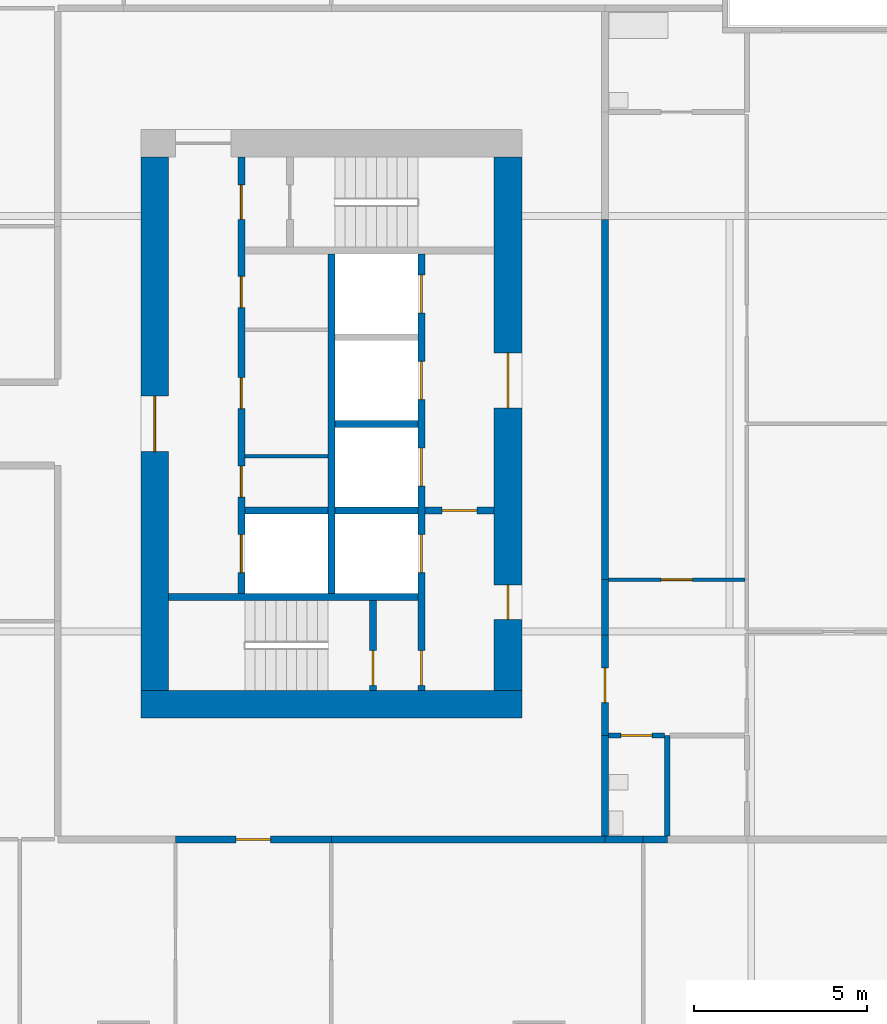
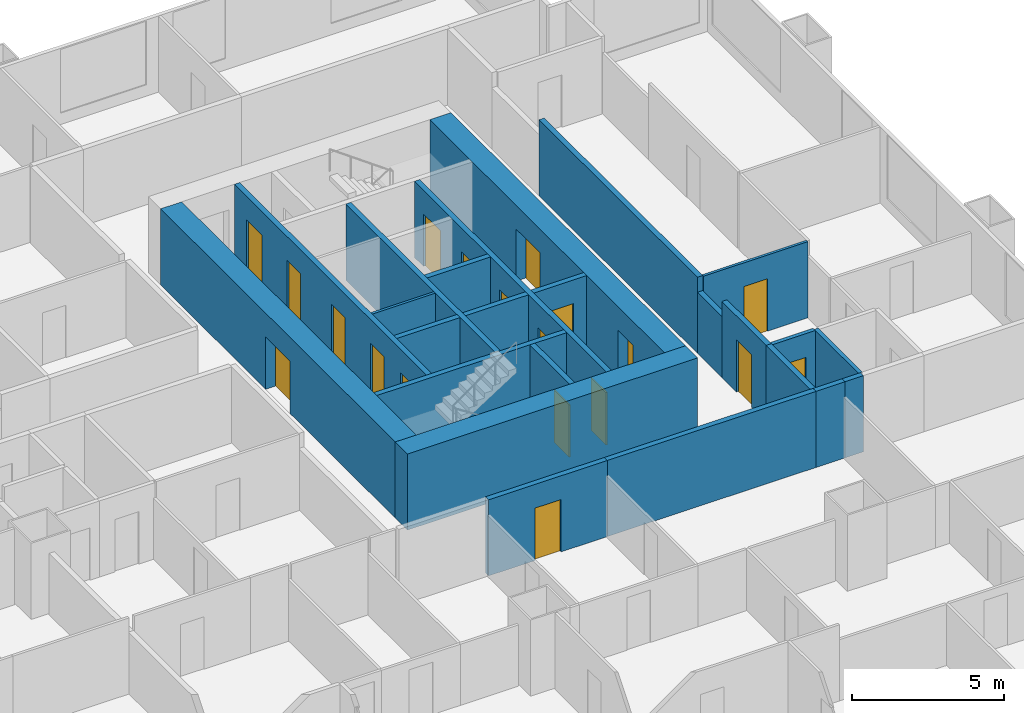
# One storey, part 7 of 14: 24 walls, 19 doors, 19 openings.
"""IFC4 building model written with IfcOpenShell, lengths in metres."""

from ifc_helpers import new_model, si_unit, direction, frame, frame_2d, origin, place, context, subcontext, project, spatial, rectangle, extrude, material, layer, layer_set, type_object, element, fill, save


model = new_model("IFC4")

# Units and contexts
model_context = context("Model", 3, precision=1e-05, world=origin(), true_north=direction((0.0, 1.0)))
body_context = subcontext(model_context, "Body", "Model", "MODEL_VIEW")
ifc_project = project(units=[si_unit("LENGTHUNIT", "METRE"), si_unit("AREAUNIT", "SQUARE_METRE"), si_unit("VOLUMEUNIT", "CUBIC_METRE"), si_unit("PLANEANGLEUNIT", "RADIAN"), si_unit("MASSUNIT", "GRAM", prefix="KILO")], contexts=[model_context])

# Site, building, storey
site_placement = place(None, origin())
site = spatial("IfcSite", under=ifc_project, at=site_placement, CompositionType="ELEMENT")
building_placement = place(site_placement, origin())
building = spatial("IfcBuilding", under=site, at=building_placement, Name="Kitamizu Gate Tower and Museum", CompositionType="ELEMENT")
storey_placement = place(building_placement, frame((0.0, 0.0, 67.949951171875)))
storey = spatial("IfcBuildingStorey", under=building, at=storey_placement, Name="L16", CompositionType="ELEMENT", Elevation=67.949951171875)

# Wall
ifc_material_1 = material(Name="Concrete Fc60", Category="concrete")
ifc_layer_1 = layer(ifc_material_1, 0.800048828125)
ifc_layer_set_1 = layer_set([ifc_layer_1], Name="Concrete Fc60")
wall_type_1 = type_object("IfcWallType", Name="Core wall 800", PredefinedType="SHEAR", material=ifc_layer_set_1)
wall_1_placement = place(storey_placement, frame((59.5, 21.89990234375, 0.0), z_axis=(0.0, 0.0, 1.0), x_axis=(-1.0, 0.0, 0.0)))
element("IfcWall", 1, at=wall_1_placement, inside=storey, type_object=wall_type_1, Name="Core wall ES", PredefinedType="SHEAR", context=body_context, shape_type="SweptSolid", body=[
    extrude(rectangle(XDim=11.0, YDim=0.800048828125, at=frame_2d((5.5, 0.0))), origin(), (0.0, 0.0, 1.0), 3.050048828125),
])

# Wall, openings, doors
wall_2_placement = place(storey_placement, frame((59.10009765625, 22.300048828125, 0.0), z_axis=(0.0, 0.0, 1.0), x_axis=(0.0, 1.0, 0.0)))
wall_2 = element("IfcWall", 2, at=wall_2_placement, inside=storey, type_object=wall_type_1, Name="Core wall EOUT", PredefinedType="SHEAR", context=body_context, shape_type="SweptSolid", body=[
    extrude(rectangle(XDim=15.39990234375, YDim=0.800048828125, at=frame_2d((7.699951171875, 0.0))), origin(), (0.0, 0.0, 1.0), 3.050048828125),
])
opening_1_placement = place(wall_2_placement, frame((8.14990234375, 0.0, 0.0)))
opening_1 = element("IfcOpeningElement", 3, at=opening_1_placement, cuts=wall_2, Name="Opening L16-102", PredefinedType="OPENING", context=body_context, shape_type="SweptSolid", body=[
    extrude(rectangle(XDim=1.60009765625, YDim=2.10009765625, at=frame_2d((0.800048828125, 1.050048828125))), frame((0.0, 0.41015625, 0.0), z_axis=(0.0, -1.0, 0.0), x_axis=(1.0, 0.0, 0.0)), (0.0, 0.0, 1.0), 0.820068359375),
])
opening_2_placement = place(wall_2_placement, frame((2.050048828125, 0.0, 0.0)))
opening_2 = element("IfcOpeningElement", 4, at=opening_2_placement, cuts=wall_2, Name="Opening L16-103", PredefinedType="OPENING", context=body_context, shape_type="SweptSolid", body=[
    extrude(rectangle(XDim=1.0, YDim=2.10009765625, at=frame_2d((0.5, 1.050048828125))), frame((0.0, 0.41015625, 0.0), z_axis=(0.0, -1.0, 0.0), x_axis=(1.0, 0.0, 0.0)), (0.0, 0.0, 1.0), 0.820068359375),
])
ifc_material_2 = material(Name="Timber door set", Category="wood")
door_type_1 = type_object("IfcDoorType", Name="Entrance door 1600", OperationType="DOUBLE_DOOR_SINGLE_SWING", PredefinedType="DOOR", material=ifc_material_2)
door_1_placement = place(opening_1_placement, origin())
door_1 = element("IfcDoor", 5, at=door_1_placement, inside=storey, type_object=door_type_1, Name="Lobby door L16-102", OperationType="DOUBLE_DOOR_SINGLE_SWING", OverallHeight=2.10009765625, OverallWidth=1.60009765625, PredefinedType="DOOR", context=body_context, shape_type="SweptSolid", body=[
    extrude(rectangle(XDim=1.60009765625, YDim=2.10009765625, at=frame_2d((0.800048828125, 1.050048828125))), frame((0.0, 0.02490234375, 0.0), z_axis=(0.0, -1.0, 0.0), x_axis=(1.0, 0.0, 0.0)), (0.0, 0.0, 1.0), 0.050048828125),
])
fill(opening_1, door_1)
ifc_material_3 = material(Name="Hollow metal door set")
door_type_2 = type_object("IfcDoorType", Name="Fire door 1000", OperationType="NOTDEFINED", PredefinedType="DOOR", material=ifc_material_3)
door_2_placement = place(opening_2_placement, origin())
door_2 = element("IfcDoor", 6, at=door_2_placement, inside=storey, type_object=door_type_2, Name="Fire-fighting lobby door L16-103", OperationType="SINGLE_SWING_RIGHT", OverallHeight=2.10009765625, OverallWidth=1.0, PredefinedType="DOOR", context=body_context, shape_type="SweptSolid", body=[
    extrude(rectangle(XDim=1.0, YDim=2.10009765625, at=frame_2d((0.5, 1.050048828125))), frame((0.0, 0.02490234375, 0.0), z_axis=(0.0, -1.0, 0.0), x_axis=(1.0, 0.0, 0.0)), (0.0, 0.0, 1.0), 0.050048828125),
])
fill(opening_2, door_2)

# Wall, opening, door
wall_3_placement = place(storey_placement, frame((48.89990234375, 22.300048828125, 0.0), z_axis=(0.0, 0.0, 1.0), x_axis=(0.0, 1.0, 0.0)))
wall_3 = element("IfcWall", 7, at=wall_3_placement, inside=storey, type_object=wall_type_1, Name="Core wall EARC", PredefinedType="SHEAR", context=body_context, shape_type="SweptSolid", body=[
    extrude(rectangle(XDim=15.39990234375, YDim=0.800048828125, at=frame_2d((7.699951171875, 0.0))), origin(), (0.0, 0.0, 1.0), 3.050048828125),
])
opening_3_placement = place(wall_3_placement, frame((6.89990234375, 0.0, 0.0)))
opening_3 = element("IfcOpeningElement", 8, at=opening_3_placement, cuts=wall_3, Name="Opening L16-105", PredefinedType="OPENING", context=body_context, shape_type="SweptSolid", body=[
    extrude(rectangle(XDim=1.60009765625, YDim=2.10009765625, at=frame_2d((0.800048828125, 1.050048828125))), frame((0.0, 0.41015625, 0.0), z_axis=(0.0, -1.0, 0.0), x_axis=(1.0, 0.0, 0.0)), (0.0, 0.0, 1.0), 0.820068359375),
])
door_3_placement = place(opening_3_placement, origin())
door_3 = element("IfcDoor", 9, at=door_3_placement, inside=storey, type_object=door_type_1, Name="Lobby door L16-105", OperationType="DOUBLE_DOOR_SINGLE_SWING", OverallHeight=2.10009765625, OverallWidth=1.60009765625, PredefinedType="DOOR", context=body_context, shape_type="SweptSolid", body=[
    extrude(rectangle(XDim=1.60009765625, YDim=2.10009765625, at=frame_2d((0.800048828125, 1.050048828125))), frame((0.0, 0.02490234375, 0.0), z_axis=(0.0, -1.0, 0.0), x_axis=(1.0, 0.0, 0.0)), (0.0, 0.0, 1.0), 0.050048828125),
])
fill(opening_3, door_3)

# Wall
ifc_material_4 = material(Name="Gypsum board on galvanised stud")
ifc_layer_2 = layer(ifc_material_4, 0.10009765625)
ifc_layer_set_2 = layer_set([ifc_layer_2], Name="Gypsum board on galvanised stud")
wall_type_2 = type_object("IfcWallType", Name="Partition 100", PredefinedType="PARTITIONING", material=ifc_layer_set_2)
wall_4_placement = place(storey_placement, frame((53.89990234375, 29.06005859375, 0.0), z_axis=(0.0, 0.0, 1.0), x_axis=(-1.0, 0.0, 0.0)))
element("IfcWall", 10, at=wall_4_placement, inside=storey, type_object=wall_type_2, Name="Partition EPF1", PredefinedType="PARTITIONING", context=body_context, shape_type="SweptSolid", body=[
    extrude(rectangle(XDim=2.39990234375, YDim=0.10009765625, at=frame_2d((1.199951171875, 0.0))), origin(), (0.0, 0.0, 1.0), 3.050048828125),
])

# Wall, opening, door
ifc_material_5 = material(Name="Gypsum board on galvanised stud")
ifc_layer_3 = layer(ifc_material_5, 0.10009765625)
ifc_layer_set_3 = layer_set([ifc_layer_3], Name="Gypsum board on galvanised stud")
wall_type_3 = type_object("IfcWallType", Name="Partition 100 NOT RATED", PredefinedType="PARTITIONING", material=ifc_layer_set_3)
wall_5_placement = place(storey_placement, frame((65.949951171875, 25.5, 0.0), z_axis=(0.0, 0.0, 1.0), x_axis=(-1.0, 0.0, 0.0)))
wall_5 = element("IfcWall", 11, at=wall_5_placement, inside=storey, type_object=wall_type_3, Name="Partition L16-220", PredefinedType="PARTITIONING", context=body_context, shape_type="SweptSolid", body=[
    extrude(rectangle(XDim=3.949951171875, YDim=0.10009765625, at=frame_2d((1.97509765625, 0.0))), origin(), (0.0, 0.0, 1.0), 3.050048828125),
])
opening_4_placement = place(wall_5_placement, frame((1.52490234375, 0.0, 0.0)))
opening_4 = element("IfcOpeningElement", 12, at=opening_4_placement, cuts=wall_5, Name="Opening L16-079", PredefinedType="OPENING", context=body_context, shape_type="SweptSolid", body=[
    extrude(rectangle(XDim=0.89990234375, YDim=2.10009765625, at=frame_2d((0.449951171875, 1.050048828125))), frame((0.0, 0.06005859375, 0.0), z_axis=(0.0, -1.0, 0.0), x_axis=(1.0, 0.0, 0.0)), (0.0, 0.0, 1.0), 0.1201171875),
])
ifc_material_6 = material(Name="Timber door set", Category="wood")
door_type_3 = type_object("IfcDoorType", Name="Room door 900", OperationType="NOTDEFINED", PredefinedType="DOOR", material=ifc_material_6)
door_4_placement = place(opening_4_placement, origin())
door_4 = element("IfcDoor", 13, at=door_4_placement, inside=storey, type_object=door_type_3, Name="Door L16-079", OperationType="SINGLE_SWING_RIGHT", OverallHeight=2.10009765625, OverallWidth=0.89990234375, PredefinedType="DOOR", context=body_context, shape_type="SweptSolid", body=[
    extrude(rectangle(XDim=0.89990234375, YDim=2.10009765625, at=frame_2d((0.449951171875, 1.050048828125))), frame((0.0, 0.02490234375, 0.0), z_axis=(0.0, -1.0, 0.0), x_axis=(1.0, 0.0, 0.0)), (0.0, 0.0, 1.0), 0.050048828125),
])
fill(opening_4, door_4)

# Wall
ifc_material_7 = material(Name="Gypsum board on galvanised stud")
ifc_layer_4 = layer(ifc_material_7, 0.14990234375)
ifc_layer_set_4 = layer_set([ifc_layer_4], Name="Gypsum board on galvanised stud")
wall_type_4 = type_object("IfcWallType", Name="Partition 150", PredefinedType="PARTITIONING", material=ifc_layer_set_4)
wall_6_placement = place(storey_placement, frame((63.699951171875, 18.10009765625, 0.0), z_axis=(0.0, 0.0, 1.0), x_axis=(0.0, 1.0, 0.0)))
element("IfcWall", 14, at=wall_6_placement, inside=storey, type_object=wall_type_4, Name="Partition L16-216", PredefinedType="PARTITIONING", context=body_context, shape_type="SweptSolid", body=[
    extrude(rectangle(XDim=2.89990234375, YDim=0.14990234375, at=frame_2d((1.449951171875, 0.0))), origin(), (0.0, 0.0, 1.0), 3.050048828125),
])

# Wall, opening, door
wall_7_placement = place(storey_placement, frame((63.625, 21.0, 0.0), z_axis=(0.0, 0.0, 1.0), x_axis=(-1.0, 0.0, 0.0)))
wall_7 = element("IfcWall", 15, at=wall_7_placement, inside=storey, type_object=wall_type_4, Name="Partition L16-217", PredefinedType="PARTITIONING", context=body_context, shape_type="SweptSolid", body=[
    extrude(rectangle(XDim=1.625, YDim=0.14990234375, at=frame_2d((0.8125, 0.0))), origin(), (0.0, 0.0, 1.0), 3.050048828125),
])
opening_5_placement = place(wall_7_placement, frame((0.362548828125, 0.0, 0.0)))
opening_5 = element("IfcOpeningElement", 16, at=opening_5_placement, cuts=wall_7, Name="Opening L16-082", PredefinedType="OPENING", context=body_context, shape_type="SweptSolid", body=[
    extrude(rectangle(XDim=0.89990234375, YDim=2.10009765625, at=frame_2d((0.449951171875, 1.050048828125))), frame((0.0, 0.0849609375, 0.0), z_axis=(0.0, -1.0, 0.0), x_axis=(1.0, 0.0, 0.0)), (0.0, 0.0, 1.0), 0.169921875),
])
ifc_material_8 = material(Name="Timber door set", Category="wood")
door_type_4 = type_object("IfcDoorType", Name="Bathroom door 900", OperationType="NOTDEFINED", PredefinedType="DOOR", material=ifc_material_8)
door_5_placement = place(opening_5_placement, origin())
door_5 = element("IfcDoor", 17, at=door_5_placement, inside=storey, type_object=door_type_4, Name="Bathroom door L16-082", OperationType="SINGLE_SWING_LEFT", OverallHeight=2.10009765625, OverallWidth=0.89990234375, PredefinedType="DOOR", context=body_context, shape_type="SweptSolid", body=[
    extrude(rectangle(XDim=0.89990234375, YDim=2.10009765625, at=frame_2d((0.449951171875, 1.050048828125))), frame((0.0, 0.02490234375, 0.0), z_axis=(0.0, -1.0, 0.0), x_axis=(1.0, 0.0, 0.0)), (0.0, 0.0, 1.0), 0.050048828125),
])
fill(opening_5, door_5)

ifc_material_9 = material(Name="Gypsum board on galvanised stud")
ifc_layer_5 = layer(ifc_material_9, 0.199951171875)
ifc_layer_set_5 = layer_set([ifc_layer_5], Name="Gypsum board on galvanised stud")
wall_type_5 = type_object("IfcWallType", Name="Partition 200", PredefinedType="PARTITIONING", material=ifc_layer_set_5)
wall_8_placement = place(storey_placement, frame((54.0, 18.0, 0.0), z_axis=(0.0, 0.0, 1.0), x_axis=(-1.0, 0.0, 0.0)))
wall_8 = element("IfcWall", 18, at=wall_8_placement, inside=storey, type_object=wall_type_5, Name="Partition L16-108", PredefinedType="PARTITIONING", context=body_context, shape_type="SweptSolid", body=[
    extrude(rectangle(XDim=4.5, YDim=0.199951171875, at=frame_2d((2.25, 0.0))), origin(), (0.0, 0.0, 1.0), 3.050048828125),
])
opening_6_placement = place(wall_8_placement, frame((1.75, 0.0, 0.0)))
opening_6 = element("IfcOpeningElement", 19, at=opening_6_placement, cuts=wall_8, Name="Opening L16-025", PredefinedType="OPENING", context=body_context, shape_type="SweptSolid", body=[
    extrude(rectangle(XDim=1.0, YDim=2.10009765625, at=frame_2d((0.5, 1.050048828125))), frame((0.0, 0.10986328125, 0.0), z_axis=(0.0, -1.0, 0.0), x_axis=(1.0, 0.0, 0.0)), (0.0, 0.0, 1.0), 0.219970703125),
])
ifc_material_10 = material(Name="Timber door set", Category="wood")
door_type_5 = type_object("IfcDoorType", Name="Flat entrance door 1000", OperationType="NOTDEFINED", PredefinedType="DOOR", material=ifc_material_10)
door_6_placement = place(opening_6_placement, origin())
door_6 = element("IfcDoor", 20, at=door_6_placement, inside=storey, type_object=door_type_5, Name="Flat entrance door L16-025", OperationType="SINGLE_SWING_RIGHT", OverallHeight=2.10009765625, OverallWidth=1.0, PredefinedType="DOOR", context=body_context, shape_type="SweptSolid", body=[
    extrude(rectangle(XDim=1.0, YDim=2.10009765625, at=frame_2d((0.5, 1.050048828125))), frame((0.0, 0.02490234375, 0.0), z_axis=(0.0, -1.0, 0.0), x_axis=(1.0, 0.0, 0.0)), (0.0, 0.0, 1.0), 0.050048828125),
])
fill(opening_6, door_6)

# Walls
wall_9_placement = place(storey_placement, frame((63.0, 18.0, 0.0), z_axis=(0.0, 0.0, 1.0), x_axis=(-1.0, 0.0, 0.0)))
element("IfcWall", 21, at=wall_9_placement, inside=storey, type_object=wall_type_5, Name="Partition L16-110", PredefinedType="PARTITIONING", context=body_context, shape_type="SweptSolid", body=[
    extrude(rectangle(XDim=1.10009765625, YDim=0.199951171875, at=frame_2d((0.550048828125, 0.0))), origin(), (0.0, 0.0, 1.0), 3.050048828125),
])
wall_10_placement = place(storey_placement, frame((61.89990234375, 18.0, 0.0), z_axis=(0.0, 0.0, 1.0), x_axis=(-1.0, 0.0, 0.0)))
element("IfcWall", 22, at=wall_10_placement, inside=storey, type_object=wall_type_5, Name="Partition L16-111", PredefinedType="PARTITIONING", context=body_context, shape_type="SweptSolid", body=[
    extrude(rectangle(XDim=7.89990234375, YDim=0.199951171875, at=frame_2d((3.949951171875, 0.0))), origin(), (0.0, 0.0, 1.0), 3.050048828125),
])
wall_11_placement = place(storey_placement, frame((63.699951171875, 18.0, 0.0), z_axis=(0.0, 0.0, 1.0), x_axis=(-1.0, 0.0, 0.0)))
element("IfcWall", 23, at=wall_11_placement, inside=storey, type_object=wall_type_5, Name="Partition L16-113", PredefinedType="PARTITIONING", context=body_context, shape_type="SweptSolid", body=[
    extrude(rectangle(XDim=0.699951171875, YDim=0.199951171875, at=frame_2d((0.35009765625, 0.0))), origin(), (0.0, 0.0, 1.0), 3.050048828125),
])
wall_12_placement = place(storey_placement, frame((61.89990234375, 21.0, 0.0), z_axis=(0.0, 0.0, 1.0), x_axis=(0.0, -1.0, 0.0)))
element("IfcWall", 24, at=wall_12_placement, inside=storey, type_object=wall_type_5, Name="Partition L16-218", PredefinedType="PARTITIONING", context=body_context, shape_type="SweptSolid", body=[
    extrude(rectangle(XDim=2.89990234375, YDim=0.199951171875, at=frame_2d((1.449951171875, 0.0))), origin(), (0.0, 0.0, 1.0), 3.050048828125),
])
wall_13_placement = place(storey_placement, frame((61.89990234375, 25.5, 0.0), z_axis=(0.0, 0.0, 1.0), x_axis=(0.0, -1.0, 0.0)))
element("IfcWall", 25, at=wall_13_placement, inside=storey, type_object=wall_type_5, Name="Partition L16-221", PredefinedType="PARTITIONING", context=body_context, shape_type="SweptSolid", body=[
    extrude(rectangle(XDim=1.60009765625, YDim=0.199951171875, at=frame_2d((0.800048828125, 0.0))), origin(), (0.0, 0.0, 1.0), 2.449951171875),
])

# Wall, opening, door
wall_14_placement = place(storey_placement, frame((61.89990234375, 23.89990234375, 0.0), z_axis=(0.0, 0.0, 1.0), x_axis=(0.0, -1.0, 0.0)))
wall_14 = element("IfcWall", 26, at=wall_14_placement, inside=storey, type_object=wall_type_5, Name="Partition L16-222", PredefinedType="PARTITIONING", context=body_context, shape_type="SweptSolid", body=[
    extrude(rectangle(XDim=2.89990234375, YDim=0.199951171875, at=frame_2d((1.449951171875, 0.0))), origin(), (0.0, 0.0, 1.0), 3.050048828125),
])
opening_7_placement = place(wall_14_placement, frame((0.949951171875, 0.0, 0.0)))
opening_7 = element("IfcOpeningElement", 27, at=opening_7_placement, cuts=wall_14, Name="Opening L16-077", PredefinedType="OPENING", context=body_context, shape_type="SweptSolid", body=[
    extrude(rectangle(XDim=1.0, YDim=2.10009765625, at=frame_2d((0.5, 1.050048828125))), frame((0.0, 0.10986328125, 0.0), z_axis=(0.0, -1.0, 0.0), x_axis=(1.0, 0.0, 0.0)), (0.0, 0.0, 1.0), 0.219970703125),
])
door_7_placement = place(opening_7_placement, origin())
door_7 = element("IfcDoor", 28, at=door_7_placement, inside=storey, type_object=door_type_5, Name="Flat entrance door L16-077", OperationType="SINGLE_SWING_LEFT", OverallHeight=2.10009765625, OverallWidth=1.0, PredefinedType="DOOR", context=body_context, shape_type="SweptSolid", body=[
    extrude(rectangle(XDim=1.0, YDim=2.10009765625, at=frame_2d((0.5, 1.050048828125))), frame((0.0, 0.02490234375, 0.0), z_axis=(0.0, -1.0, 0.0), x_axis=(1.0, 0.0, 0.0)), (0.0, 0.0, 1.0), 0.050048828125),
])
fill(opening_7, door_7)

# Wall
wall_15_placement = place(storey_placement, frame((61.89990234375, 35.89990234375, 0.0), z_axis=(0.0, 0.0, 1.0), x_axis=(0.0, -1.0, 0.0)))
element("IfcWall", 29, at=wall_15_placement, inside=storey, type_object=wall_type_5, Name="Partition L16-225", PredefinedType="PARTITIONING", context=body_context, shape_type="SweptSolid", body=[
    extrude(rectangle(XDim=10.39990234375, YDim=0.199951171875, at=frame_2d((5.199951171875, 0.0))), origin(), (0.0, 0.0, 1.0), 3.050048828125),
])

# Wall, openings, doors
ifc_material_11 = material(Name="Concrete Fc42", Category="concrete")
ifc_layer_6 = layer(ifc_material_11, 0.199951171875)
ifc_layer_set_6 = layer_set([ifc_layer_6], Name="Concrete Fc42")
wall_type_6 = type_object("IfcWallType", Name="Shaft wall 200", PredefinedType="SOLIDWALL", material=ifc_layer_set_6)
wall_16_placement = place(storey_placement, frame((56.60009765625, 22.300048828125, 0.0), z_axis=(0.0, 0.0, 1.0), x_axis=(0.0, 1.0, 0.0)))
wall_16 = element("IfcWall", 30, at=wall_16_placement, inside=storey, type_object=wall_type_6, Name="Shaft wall EWEST", PredefinedType="SOLIDWALL", context=body_context, shape_type="SweptSolid", body=[
    extrude(rectangle(XDim=12.599853515625, YDim=0.199951171875, at=frame_2d((6.2998046875, 0.0))), origin(), (0.0, 0.0, 1.0), 3.050048828125),
])
opening_8_placement = place(wall_16_placement, frame((3.39990234375, 0.0, 0.0)))
opening_8 = element("IfcOpeningElement", 31, at=opening_8_placement, cuts=wall_16, Name="Opening LD", PredefinedType="OPENING", context=body_context, shape_type="SweptSolid", body=[
    extrude(rectangle(XDim=1.10009765625, YDim=2.10009765625, at=frame_2d((0.550048828125, 1.050048828125))), frame((0.0, 0.10986328125, 0.0), z_axis=(0.0, -1.0, 0.0), x_axis=(1.0, 0.0, 0.0)), (0.0, 0.0, 1.0), 0.219970703125),
])
opening_9_placement = place(wall_16_placement, frame((5.89990234375, 0.0, 0.0)))
opening_9 = element("IfcOpeningElement", 32, at=opening_9_placement, cuts=wall_16, Name="Opening LD", PredefinedType="OPENING", context=body_context, shape_type="SweptSolid", body=[
    extrude(rectangle(XDim=1.10009765625, YDim=2.10009765625, at=frame_2d((0.550048828125, 1.050048828125))), frame((0.0, 0.10986328125, 0.0), z_axis=(0.0, -1.0, 0.0), x_axis=(1.0, 0.0, 0.0)), (0.0, 0.0, 1.0), 0.219970703125),
])
opening_10_placement = place(wall_16_placement, frame((8.39990234375, 0.0, 0.0)))
opening_10 = element("IfcOpeningElement", 33, at=opening_10_placement, cuts=wall_16, Name="Opening LD", PredefinedType="OPENING", context=body_context, shape_type="SweptSolid", body=[
    extrude(rectangle(XDim=1.10009765625, YDim=2.10009765625, at=frame_2d((0.550048828125, 1.050048828125))), frame((0.0, 0.10986328125, 0.0), z_axis=(0.0, -1.0, 0.0), x_axis=(1.0, 0.0, 0.0)), (0.0, 0.0, 1.0), 0.219970703125),
])
opening_11_placement = place(wall_16_placement, frame((10.89990234375, 0.0, 0.0)))
opening_11 = element("IfcOpeningElement", 34, at=opening_11_placement, cuts=wall_16, Name="Opening LD", PredefinedType="OPENING", context=body_context, shape_type="SweptSolid", body=[
    extrude(rectangle(XDim=1.10009765625, YDim=2.10009765625, at=frame_2d((0.550048828125, 1.050048828125))), frame((0.0, 0.10986328125, 0.0), z_axis=(0.0, -1.0, 0.0), x_axis=(1.0, 0.0, 0.0)), (0.0, 0.0, 1.0), 0.219970703125),
])
opening_12_placement = place(wall_16_placement, frame((0.14990234375, 0.0, 0.0)))
opening_12 = element("IfcOpeningElement", 35, at=opening_12_placement, cuts=wall_16, Name="Opening L16-098", PredefinedType="OPENING", context=body_context, shape_type="SweptSolid", body=[
    extrude(rectangle(XDim=1.0, YDim=2.10009765625, at=frame_2d((0.5, 1.050048828125))), frame((0.0, 0.10986328125, 0.0), z_axis=(0.0, -1.0, 0.0), x_axis=(1.0, 0.0, 0.0)), (0.0, 0.0, 1.0), 0.219970703125),
])
door_8_placement = place(opening_12_placement, origin())
door_8 = element("IfcDoor", 36, at=door_8_placement, inside=storey, type_object=door_type_2, Name="Stair lobby door L16-098", OperationType="SINGLE_SWING_RIGHT", OverallHeight=2.10009765625, OverallWidth=1.0, PredefinedType="DOOR", context=body_context, shape_type="SweptSolid", body=[
    extrude(rectangle(XDim=1.0, YDim=2.10009765625, at=frame_2d((0.5, 1.050048828125))), frame((0.0, 0.02490234375, 0.0), z_axis=(0.0, -1.0, 0.0), x_axis=(1.0, 0.0, 0.0)), (0.0, 0.0, 1.0), 0.050048828125),
])
fill(opening_12, door_8)
ifc_material_12 = material(Name="Hollow metal door set")
door_type_6 = type_object("IfcDoorType", Name="Landing door 1100", OperationType="SLIDING_TO_LEFT", PredefinedType="DOOR", material=ifc_material_12)
door_9_placement = place(opening_8_placement, origin())
door_9 = element("IfcDoor", 37, at=door_9_placement, inside=storey, type_object=door_type_6, Name="Landing door EFF1", OperationType="SLIDING_TO_LEFT", OverallHeight=2.10009765625, OverallWidth=1.10009765625, PredefinedType="DOOR", context=body_context, shape_type="SweptSolid", body=[
    extrude(rectangle(XDim=1.10009765625, YDim=2.10009765625, at=frame_2d((0.550048828125, 1.050048828125))), frame((0.0, 0.02490234375, 0.0), z_axis=(0.0, -1.0, 0.0), x_axis=(1.0, 0.0, 0.0)), (0.0, 0.0, 1.0), 0.050048828125),
])
fill(opening_8, door_9)
door_10_placement = place(opening_9_placement, origin())
door_10 = element("IfcDoor", 38, at=door_10_placement, inside=storey, type_object=door_type_6, Name="Landing door EL1", OperationType="SLIDING_TO_LEFT", OverallHeight=2.10009765625, OverallWidth=1.10009765625, PredefinedType="DOOR", context=body_context, shape_type="SweptSolid", body=[
    extrude(rectangle(XDim=1.10009765625, YDim=2.10009765625, at=frame_2d((0.550048828125, 1.050048828125))), frame((0.0, 0.02490234375, 0.0), z_axis=(0.0, -1.0, 0.0), x_axis=(1.0, 0.0, 0.0)), (0.0, 0.0, 1.0), 0.050048828125),
])
fill(opening_9, door_10)
door_11_placement = place(opening_10_placement, origin())
door_11 = element("IfcDoor", 39, at=door_11_placement, inside=storey, type_object=door_type_6, Name="Landing door EL2", OperationType="SLIDING_TO_LEFT", OverallHeight=2.10009765625, OverallWidth=1.10009765625, PredefinedType="DOOR", context=body_context, shape_type="SweptSolid", body=[
    extrude(rectangle(XDim=1.10009765625, YDim=2.10009765625, at=frame_2d((0.550048828125, 1.050048828125))), frame((0.0, 0.02490234375, 0.0), z_axis=(0.0, -1.0, 0.0), x_axis=(1.0, 0.0, 0.0)), (0.0, 0.0, 1.0), 0.050048828125),
])
fill(opening_10, door_11)
door_12_placement = place(opening_11_placement, origin())
door_12 = element("IfcDoor", 40, at=door_12_placement, inside=storey, type_object=door_type_6, Name="Landing door EL3", OperationType="SLIDING_TO_LEFT", OverallHeight=2.10009765625, OverallWidth=1.10009765625, PredefinedType="DOOR", context=body_context, shape_type="SweptSolid", body=[
    extrude(rectangle(XDim=1.10009765625, YDim=2.10009765625, at=frame_2d((0.550048828125, 1.050048828125))), frame((0.0, 0.02490234375, 0.0), z_axis=(0.0, -1.0, 0.0), x_axis=(1.0, 0.0, 0.0)), (0.0, 0.0, 1.0), 0.050048828125),
])
fill(opening_11, door_12)

wall_17_placement = place(storey_placement, frame((51.39990234375, 25.10009765625, 0.0), z_axis=(0.0, 0.0, 1.0), x_axis=(0.0, 1.0, 0.0)))
wall_17 = element("IfcWall", 41, at=wall_17_placement, inside=storey, type_object=wall_type_6, Name="Shaft wall EEAST", PredefinedType="SOLIDWALL", context=body_context, shape_type="SweptSolid", body=[
    extrude(rectangle(XDim=12.599853515625, YDim=0.199951171875, at=frame_2d((6.2998046875, 0.0))), origin(), (0.0, 0.0, 1.0), 3.050048828125),
])
opening_13_placement = place(wall_17_placement, frame((0.60009765625, 0.0, 0.0)))
opening_13 = element("IfcOpeningElement", 42, at=opening_13_placement, cuts=wall_17, Name="Opening LD", PredefinedType="OPENING", context=body_context, shape_type="SweptSolid", body=[
    extrude(rectangle(XDim=1.10009765625, YDim=2.10009765625, at=frame_2d((0.550048828125, 1.050048828125))), frame((0.0, 0.10986328125, 0.0), z_axis=(0.0, -1.0, 0.0), x_axis=(1.0, 0.0, 0.0)), (0.0, 0.0, 1.0), 0.219970703125),
])
opening_14_placement = place(wall_17_placement, frame((10.800048828125, 0.0, 0.0)))
opening_14 = element("IfcOpeningElement", 43, at=opening_14_placement, cuts=wall_17, Name="Opening L16-099", PredefinedType="OPENING", context=body_context, shape_type="SweptSolid", body=[
    extrude(rectangle(XDim=1.0, YDim=2.10009765625, at=frame_2d((0.5, 1.050048828125))), frame((0.0, 0.10986328125, 0.0), z_axis=(0.0, -1.0, 0.0), x_axis=(1.0, 0.0, 0.0)), (0.0, 0.0, 1.0), 0.219970703125),
])
opening_15_placement = place(wall_17_placement, frame((2.780029296875, 0.0, 0.0)))
opening_15 = element("IfcOpeningElement", 44, at=opening_15_placement, cuts=wall_17, Name="Opening L16-106", PredefinedType="OPENING", context=body_context, shape_type="SweptSolid", body=[
    extrude(rectangle(XDim=0.89990234375, YDim=2.10009765625, at=frame_2d((0.449951171875, 1.050048828125))), frame((0.0, 0.10986328125, 0.0), z_axis=(0.0, -1.0, 0.0), x_axis=(1.0, 0.0, 0.0)), (0.0, 0.0, 1.0), 0.219970703125),
])
opening_16_placement = place(wall_17_placement, frame((5.3349609375, 0.0, 0.0)))
opening_16 = element("IfcOpeningElement", 45, at=opening_16_placement, cuts=wall_17, Name="Opening L16-107", PredefinedType="OPENING", context=body_context, shape_type="SweptSolid", body=[
    extrude(rectangle(XDim=0.89990234375, YDim=2.10009765625, at=frame_2d((0.449951171875, 1.050048828125))), frame((0.0, 0.10986328125, 0.0), z_axis=(0.0, -1.0, 0.0), x_axis=(1.0, 0.0, 0.0)), (0.0, 0.0, 1.0), 0.219970703125),
])
opening_17_placement = place(wall_17_placement, frame((8.2548828125, 0.0, 0.0)))
opening_17 = element("IfcOpeningElement", 46, at=opening_17_placement, cuts=wall_17, Name="Opening L16-108", PredefinedType="OPENING", context=body_context, shape_type="SweptSolid", body=[
    extrude(rectangle(XDim=0.89990234375, YDim=2.10009765625, at=frame_2d((0.449951171875, 1.050048828125))), frame((0.0, 0.10986328125, 0.0), z_axis=(0.0, -1.0, 0.0), x_axis=(1.0, 0.0, 0.0)), (0.0, 0.0, 1.0), 0.219970703125),
])
door_13_placement = place(opening_14_placement, frame((1.0, 0.0, 0.0), x_axis=(-1.0, 0.0, 0.0)))
door_13 = element("IfcDoor", 47, at=door_13_placement, inside=storey, type_object=door_type_2, Name="Stair lobby door L16-099", OperationType="SINGLE_SWING_RIGHT", OverallHeight=2.10009765625, OverallWidth=1.0, PredefinedType="DOOR", context=body_context, shape_type="SweptSolid", body=[
    extrude(rectangle(XDim=1.0, YDim=2.10009765625, at=frame_2d((0.5, 1.050048828125))), frame((0.0, 0.02490234375, 0.0), z_axis=(0.0, -1.0, 0.0), x_axis=(1.0, 0.0, 0.0)), (0.0, 0.0, 1.0), 0.050048828125),
])
fill(opening_14, door_13)
door_14_placement = place(opening_13_placement, origin())
door_14 = element("IfcDoor", 48, at=door_14_placement, inside=storey, type_object=door_type_6, Name="Landing door ESV1", OperationType="SLIDING_TO_LEFT", OverallHeight=2.10009765625, OverallWidth=1.10009765625, PredefinedType="DOOR", context=body_context, shape_type="SweptSolid", body=[
    extrude(rectangle(XDim=1.10009765625, YDim=2.10009765625, at=frame_2d((0.550048828125, 1.050048828125))), frame((0.0, 0.02490234375, 0.0), z_axis=(0.0, -1.0, 0.0), x_axis=(1.0, 0.0, 0.0)), (0.0, 0.0, 1.0), 0.050048828125),
])
fill(opening_13, door_14)
ifc_material_13 = material(Name="Timber door set", Category="wood")
door_type_7 = type_object("IfcDoorType", Name="Service door 900", OperationType="NOTDEFINED", PredefinedType="DOOR", material=ifc_material_13)
door_15_placement = place(opening_15_placement, frame((0.89990234375, 0.0, 0.0), x_axis=(-1.0, 0.0, 0.0)))
door_15 = element("IfcDoor", 49, at=door_15_placement, inside=storey, type_object=door_type_7, Name="Service door L16-106", OperationType="SINGLE_SWING_RIGHT", OverallHeight=2.10009765625, OverallWidth=0.89990234375, PredefinedType="DOOR", context=body_context, shape_type="SweptSolid", body=[
    extrude(rectangle(XDim=0.89990234375, YDim=2.10009765625, at=frame_2d((0.449951171875, 1.050048828125))), frame((0.0, 0.02490234375, 0.0), z_axis=(0.0, -1.0, 0.0), x_axis=(1.0, 0.0, 0.0)), (0.0, 0.0, 1.0), 0.050048828125),
])
fill(opening_15, door_15)
door_16_placement = place(opening_16_placement, frame((0.89990234375, 0.0, 0.0), x_axis=(-1.0, 0.0, 0.0)))
door_16 = element("IfcDoor", 50, at=door_16_placement, inside=storey, type_object=door_type_7, Name="Service door L16-107", OperationType="SINGLE_SWING_LEFT", OverallHeight=2.10009765625, OverallWidth=0.89990234375, PredefinedType="DOOR", context=body_context, shape_type="SweptSolid", body=[
    extrude(rectangle(XDim=0.89990234375, YDim=2.10009765625, at=frame_2d((0.449951171875, 1.050048828125))), frame((0.0, 0.02490234375, 0.0), z_axis=(0.0, -1.0, 0.0), x_axis=(1.0, 0.0, 0.0)), (0.0, 0.0, 1.0), 0.050048828125),
])
fill(opening_16, door_16)
door_17_placement = place(opening_17_placement, frame((0.89990234375, 0.0, 0.0), x_axis=(-1.0, 0.0, 0.0)))
door_17 = element("IfcDoor", 51, at=door_17_placement, inside=storey, type_object=door_type_7, Name="Service door L16-108", OperationType="SINGLE_SWING_RIGHT", OverallHeight=2.10009765625, OverallWidth=0.89990234375, PredefinedType="DOOR", context=body_context, shape_type="SweptSolid", body=[
    extrude(rectangle(XDim=0.89990234375, YDim=2.10009765625, at=frame_2d((0.449951171875, 1.050048828125))), frame((0.0, 0.02490234375, 0.0), z_axis=(0.0, -1.0, 0.0), x_axis=(1.0, 0.0, 0.0)), (0.0, 0.0, 1.0), 0.050048828125),
])
fill(opening_17, door_17)

# Walls
wall_18_placement = place(storey_placement, frame((54.0, 25.10009765625, 0.0), z_axis=(0.0, 0.0, 1.0), x_axis=(0.0, 1.0, 0.0)))
element("IfcWall", 52, at=wall_18_placement, inside=storey, type_object=wall_type_6, Name="Shaft wall EMID", PredefinedType="SOLIDWALL", context=body_context, shape_type="SweptSolid", body=[
    extrude(rectangle(XDim=9.7998046875, YDim=0.199951171875, at=frame_2d((4.89990234375, 0.0))), origin(), (0.0, 0.0, 1.0), 3.050048828125),
])
wall_19_placement = place(storey_placement, frame((56.5, 25.0, 0.0), z_axis=(0.0, 0.0, 1.0), x_axis=(-1.0, 0.0, 0.0)))
element("IfcWall", 53, at=wall_19_placement, inside=storey, type_object=wall_type_6, Name="Shaft wall ESB", PredefinedType="SOLIDWALL", context=body_context, shape_type="SweptSolid", body=[
    extrude(rectangle(XDim=7.199951171875, YDim=0.199951171875, at=frame_2d((3.60009765625, 0.0))), origin(), (0.0, 0.0, 1.0), 3.050048828125),
])

# Wall, opening, door
wall_20_placement = place(storey_placement, frame((58.699951171875, 27.5, 0.0), z_axis=(0.0, 0.0, 1.0), x_axis=(-1.0, 0.0, 0.0)))
wall_20 = element("IfcWall", 54, at=wall_20_placement, inside=storey, type_object=wall_type_6, Name="Shaft wall EFFN", PredefinedType="SOLIDWALL", context=body_context, shape_type="SweptSolid", body=[
    extrude(rectangle(XDim=2.0, YDim=0.199951171875, at=frame_2d((1.0, 0.0))), origin(), (0.0, 0.0, 1.0), 3.050048828125),
])
opening_18_placement = place(wall_20_placement, frame((0.5, 0.0, 0.0)))
opening_18 = element("IfcOpeningElement", 55, at=opening_18_placement, cuts=wall_20, Name="Opening L16-101", PredefinedType="OPENING", context=body_context, shape_type="SweptSolid", body=[
    extrude(rectangle(XDim=1.0, YDim=2.10009765625, at=frame_2d((0.5, 1.050048828125))), frame((0.0, 0.10986328125, 0.0), z_axis=(0.0, -1.0, 0.0), x_axis=(1.0, 0.0, 0.0)), (0.0, 0.0, 1.0), 0.219970703125),
])
door_18_placement = place(opening_18_placement, origin())
door_18 = element("IfcDoor", 56, at=door_18_placement, inside=storey, type_object=door_type_2, Name="Fire-fighting lobby door L16-101", OperationType="SINGLE_SWING_LEFT", OverallHeight=2.10009765625, OverallWidth=1.0, PredefinedType="DOOR", context=body_context, shape_type="SweptSolid", body=[
    extrude(rectangle(XDim=1.0, YDim=2.10009765625, at=frame_2d((0.5, 1.050048828125))), frame((0.0, 0.02490234375, 0.0), z_axis=(0.0, -1.0, 0.0), x_axis=(1.0, 0.0, 0.0)), (0.0, 0.0, 1.0), 0.050048828125),
])
fill(opening_18, door_18)

wall_21_placement = place(storey_placement, frame((55.199951171875, 22.300048828125, 0.0), z_axis=(0.0, 0.0, 1.0), x_axis=(0.0, 1.0, 0.0)))
wall_21 = element("IfcWall", 57, at=wall_21_placement, inside=storey, type_object=wall_type_6, Name="Shaft wall ESZ", PredefinedType="SOLIDWALL", context=body_context, shape_type="SweptSolid", body=[
    extrude(rectangle(XDim=2.599853515625, YDim=0.199951171875, at=frame_2d((1.2998046875, 0.0))), origin(), (0.0, 0.0, 1.0), 3.050048828125),
])
opening_19_placement = place(wall_21_placement, frame((0.14990234375, 0.0, 0.0)))
opening_19 = element("IfcOpeningElement", 58, at=opening_19_placement, cuts=wall_21, Name="Opening L16-097", PredefinedType="OPENING", context=body_context, shape_type="SweptSolid", body=[
    extrude(rectangle(XDim=1.0, YDim=2.10009765625, at=frame_2d((0.5, 1.050048828125))), frame((0.0, 0.10986328125, 0.0), z_axis=(0.0, -1.0, 0.0), x_axis=(1.0, 0.0, 0.0)), (0.0, 0.0, 1.0), 0.219970703125),
])
door_19_placement = place(opening_19_placement, origin())
door_19 = element("IfcDoor", 59, at=door_19_placement, inside=storey, type_object=door_type_2, Name="Stair door L16-097", OperationType="SINGLE_SWING_RIGHT", OverallHeight=2.10009765625, OverallWidth=1.0, PredefinedType="DOOR", context=body_context, shape_type="SweptSolid", body=[
    extrude(rectangle(XDim=1.0, YDim=2.10009765625, at=frame_2d((0.5, 1.050048828125))), frame((0.0, 0.02490234375, 0.0), z_axis=(0.0, -1.0, 0.0), x_axis=(1.0, 0.0, 0.0)), (0.0, 0.0, 1.0), 0.050048828125),
])
fill(opening_19, door_19)

# Walls
for number, where, z_axis, x_axis, name in (
    (60, (56.5, 27.5, 0.0), (0.0, 0.0, 1.0), (-1.0, 0.0, 0.0), "Shaft wall EDVW0"),
    (61, (56.5, 30.0, 0.0), (0.0, 0.0, 1.0), (-1.0, 0.0, 0.0), "Shaft wall EDVW1"),
    (62, (53.89990234375, 27.5, 0.0), (0.0, 0.0, 1.0), (-1.0, 0.0, 0.0), "Shaft wall EDVE0"),
):
    element("IfcWall", number, at=place(storey_placement, frame(where, z_axis=z_axis, x_axis=x_axis)), inside=storey, type_object=wall_type_6, Name=name, PredefinedType="SOLIDWALL", context=body_context, shape_type="SweptSolid", body=[
        extrude(rectangle(XDim=2.39990234375, YDim=0.199951171875, at=frame_2d((1.199951171875, 0.0))), origin(), (0.0, 0.0, 1.0), 3.050048828125),
    ])

save(model, "model.ifc")
